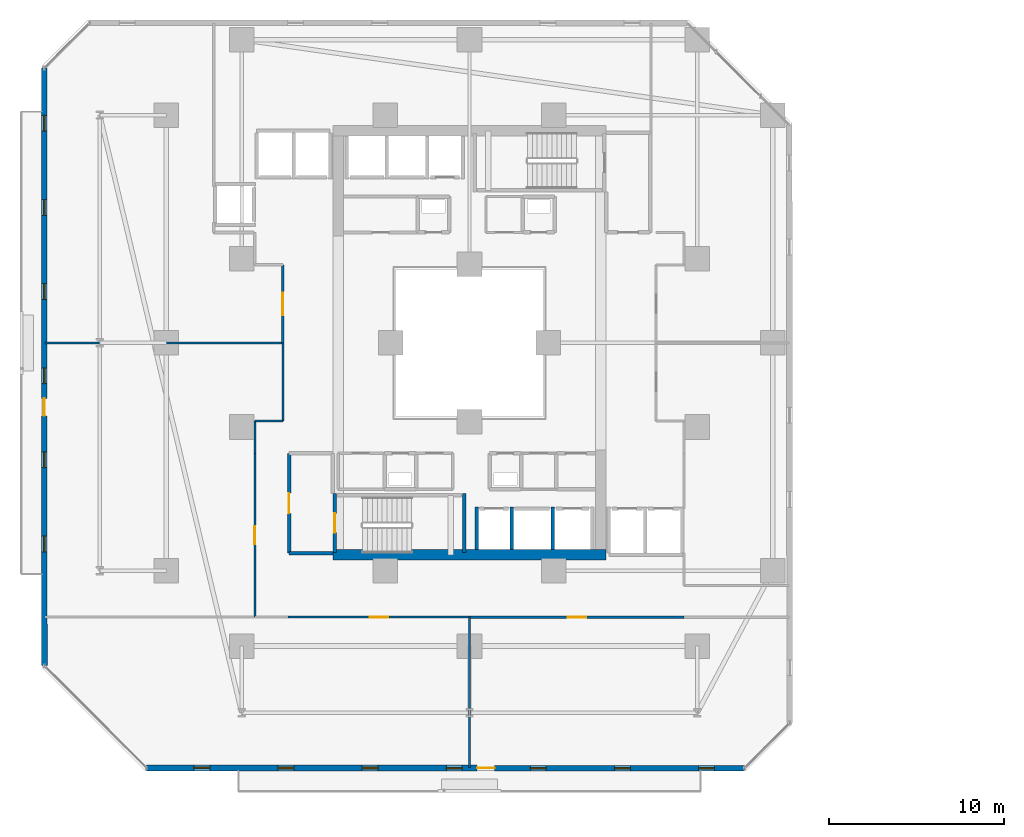
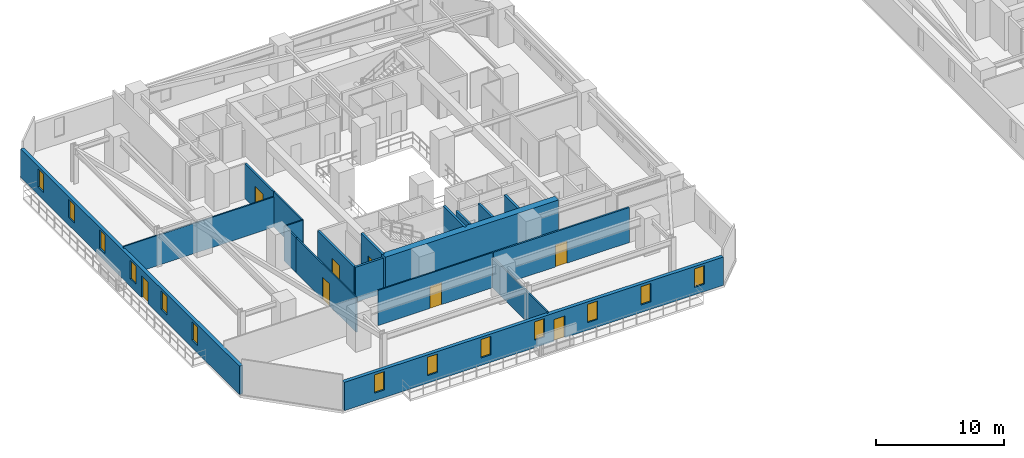
# One storey, part 18 of 33: 19 walls, 13 windows, 8 doors, 21 openings.
"""IFC4 building model written with IfcOpenShell, lengths in metres."""

from ifc_helpers import new_model, si_unit, direction, frame, frame_2d, origin, place, context, subcontext, project, spatial, rectangle, extrude, material, layer, layer_set, type_object, element, fill, save


model = new_model("IFC4")

# Units and contexts
model_context = context("Model", 3, precision=1e-05, world=origin(), true_north=direction((0.0, 1.0)))
body_context = subcontext(model_context, "Body", "Model", "MODEL_VIEW")
ifc_project = project(units=[si_unit("LENGTHUNIT", "METRE"), si_unit("AREAUNIT", "SQUARE_METRE"), si_unit("VOLUMEUNIT", "CUBIC_METRE"), si_unit("PLANEANGLEUNIT", "RADIAN"), si_unit("MASSUNIT", "GRAM", prefix="KILO")], contexts=[model_context])

# Site, building, storey
site_placement = place(None, origin())
site = spatial("IfcSite", under=ifc_project, at=site_placement, CompositionType="ELEMENT")
building_placement = place(site_placement, origin())
building = spatial("IfcBuilding", under=site, at=building_placement, Name="Thornwick Lancets Civic Towers", CompositionType="ELEMENT")
storey_placement = place(building_placement, frame((0.0, 0.0, 31.5)))
storey = spatial("IfcBuildingStorey", under=building, at=storey_placement, Name="L07", CompositionType="ELEMENT", Elevation=31.5)

# Walls
ifc_material_1 = material(Name="Concrete blockwork C40/50", Category="masonry")
ifc_layer_1 = layer(ifc_material_1, 0.199951171875, Name="Concrete blockwork C40/50")
ifc_layer_set_1 = layer_set([ifc_layer_1], Name="Concrete blockwork C40/50")
wall_type_1 = type_object("IfcWallType", Name="WALL_COMP_200", PredefinedType="STANDARD", material=ifc_layer_set_1)
for number, where, z_axis, x_axis, name in (
    (1, (27.89990234375, 15.2119140625, 0.0), (0.0, 0.0, 1.0), (0.0, 1.0, 0.0), "L07 Hoistway Shaft Wall FL-A1 E"),
    (2, (25.89990234375, 15.2119140625, 0.0), (0.0, 0.0, 1.0), (0.0, 1.0, 0.0), "L07 Hoistway Shaft Wall FL-A1 W"),
    (3, (30.25, 15.2119140625, 0.0), (0.0, 0.0, 1.0), (0.0, 1.0, 0.0), "L07 Hoistway Shaft Wall PL-AH1 E"),
):
    element("IfcWall", number, at=place(storey_placement, frame(where, z_axis=z_axis, x_axis=x_axis)), inside=storey, type_object=wall_type_1, Name=name, PredefinedType="STANDARD", context=body_context, shape_type="SweptSolid", body=[
        extrude(rectangle(XDim=2.43603515625, YDim=0.199951171875, at=frame_2d((1.218017578125, 0.0))), origin(), (0.0, 0.0, 1.0), 3.340087890625),
    ])
wall_1_placement = place(storey_placement, frame((15.199951171875, 15.0, 0.0), z_axis=(0.0, 0.0, 1.0), x_axis=(1.0, 0.0, 0.0)))
element("IfcWall", 4, at=wall_1_placement, inside=storey, type_object=wall_type_1, Name="L07 Partition L07-A-FFLOB1 E1", PredefinedType="STANDARD", context=body_context, shape_type="SweptSolid", body=[
    extrude(rectangle(XDim=2.5, YDim=0.199951171875, at=frame_2d((1.25, 0.0))), origin(), (0.0, 0.0, 1.0), 3.340087890625),
])

# Wall, opening, door
wall_2_placement = place(storey_placement, frame((15.199951171875, 20.699951171875, 0.0), z_axis=(0.0, 0.0, 1.0), x_axis=(0.0, -1.0, 0.0)))
wall_2 = element("IfcWall", 5, at=wall_2_placement, inside=storey, type_object=wall_type_1, Name="L07 Partition L07-A-FFLOB1 E4", PredefinedType="STANDARD", context=body_context, shape_type="SweptSolid", body=[
    extrude(rectangle(XDim=5.699951171875, YDim=0.199951171875, at=frame_2d((2.85009765625, 0.0))), origin(), (0.0, 0.0, 1.0), 3.340087890625),
])
opening_1_placement = place(wall_2_placement, frame((2.27490234375, 0.0, 0.0)))
opening_1 = element("IfcOpeningElement", 6, at=opening_1_placement, cuts=wall_2, Name="Opening D-L07-0361", PredefinedType="OPENING", context=body_context, shape_type="SweptSolid", body=[
    extrude(rectangle(XDim=1.14990234375, YDim=2.10009765625, at=frame_2d((0.574951171875, 1.050048828125))), frame((0.0, 0.10986328125, 0.0), z_axis=(0.0, -1.0, 0.0), x_axis=(1.0, 0.0, 0.0)), (0.0, 0.0, 1.0), 0.219970703125),
])
ifc_material_2 = material(Name="Glazed fire-resisting steel", Category="steel")
door_type_1 = type_object("IfcDoorType", Name="DOOR_LOBBY_FD60", OperationType="NOTDEFINED", PredefinedType="DOOR", material=ifc_material_2)
door_1_placement = place(opening_1_placement, origin())
door_1 = element("IfcDoor", 7, at=door_1_placement, inside=storey, type_object=door_type_1, Name="L07 South Firefighting Lobby 1 Door", OperationType="SINGLE_SWING_RIGHT", OverallHeight=2.10009765625, OverallWidth=1.14990234375, PredefinedType="DOOR", context=body_context, shape_type="SweptSolid", body=[
    extrude(rectangle(XDim=1.14990234375, YDim=2.10009765625, at=frame_2d((0.574951171875, 1.050048828125))), frame((0.0, 0.02490234375, 0.0), z_axis=(0.0, -1.0, 0.0), x_axis=(1.0, 0.0, 0.0)), (0.0, 0.0, 1.0), 0.050048828125),
])
fill(opening_1, door_1)

# Wall
ifc_material_3 = material(Name="Concrete C60/75", Category="concrete")
ifc_layer_2 = layer(ifc_material_3, 0.60009765625, Name="Concrete C60/75")
ifc_layer_set_2 = layer_set([ifc_layer_2], Name="Concrete C60/75")
wall_type_2 = type_object("IfcWallType", Name="WALL_CORE_600", PredefinedType="SHEAR", material=ifc_layer_set_2)
wall_3_placement = place(storey_placement, frame((17.699951171875, 14.89990234375, 0.0), z_axis=(0.0, 0.0, 1.0), x_axis=(1.0, 0.0, 0.0)))
element("IfcWall", 8, at=wall_3_placement, inside=storey, type_object=wall_type_2, Name="L07 Split Core A1 Shear Wall S", PredefinedType="SHEAR", context=body_context, shape_type="SweptSolid", body=[
    extrude(rectangle(XDim=15.60009765625, YDim=0.60009765625, at=frame_2d((7.800048828125, 0.0))), origin(), (0.0, 0.0, 1.0), 3.60009765625),
])

# Wall, openings, door, windows
ifc_material_4 = material(Name="Insulated buff terracotta rainscreen on concrete C40/50", Category="masonry")
ifc_layer_3 = layer(ifc_material_4, 0.320068359375, Name="Insulated buff terracotta rainscreen on concrete C40/50")
ifc_layer_set_3 = layer_set([ifc_layer_3], Name="Insulated buff terracotta rainscreen on concrete C40/50")
wall_type_3 = type_object("IfcWallType", Name="WALL_EXT_TERRA_320", PredefinedType="STANDARD", material=ifc_layer_set_3)
wall_4_placement = place(storey_placement, frame((7.07861328125, 2.74560546875, 0.0), z_axis=(0.0, 0.0, 1.0), x_axis=(0.999999952618, -0.000307837676, 0.0)))
wall_4 = element("IfcWall", 9, at=wall_4_placement, inside=storey, type_object=wall_type_3, Name="L07 Tower A Terracotta Facade Wall E0", PredefinedType="STANDARD", context=body_context, shape_type="SweptSolid", body=[
    extrude(rectangle(XDim=34.1025390625, YDim=0.320068359375, at=frame_2d((17.05126953125, 0.0))), origin(), (0.0, 0.0, 1.0), 2.699951171875),
])
opening_2_placement = place(wall_4_placement, frame((18.851318359375, 0.0, 0.0)))
opening_2 = element("IfcOpeningElement", 10, at=opening_2_placement, cuts=wall_4, Name="Opening D-BL-L07-AS", PredefinedType="OPENING", context=body_context, shape_type="SweptSolid", body=[
    extrude(rectangle(XDim=1.0, YDim=2.080078125, at=frame_2d((0.5, 1.0400390625))), frame((0.0, 0.169921875, 0.0), z_axis=(0.0, -1.0, 0.0), x_axis=(1.0, 0.0, 0.0)), (0.0, 0.0, 1.0), 0.340087890625),
])
opening_3_placement = place(wall_4_placement, frame((2.699951171875, 0.0, 0.719970703125)))
opening_3 = element("IfcOpeningElement", 11, at=opening_3_placement, cuts=wall_4, Name="Opening WL-01", PredefinedType="OPENING", context=body_context, shape_type="SweptSolid", body=[
    extrude(rectangle(XDim=0.89990234375, YDim=1.75, at=frame_2d((0.449951171875, 0.875))), frame((0.0, 0.169921875, 0.0), z_axis=(0.0, -1.0, 0.0), x_axis=(1.0, 0.0, 0.0)), (0.0, 0.0, 1.0), 0.340087890625),
])
opening_4_placement = place(wall_4_placement, frame((7.5, 0.0, 0.719970703125)))
opening_4 = element("IfcOpeningElement", 12, at=opening_4_placement, cuts=wall_4, Name="Opening WL-01", PredefinedType="OPENING", context=body_context, shape_type="SweptSolid", body=[
    extrude(rectangle(XDim=0.89990234375, YDim=1.75, at=frame_2d((0.449951171875, 0.875))), frame((0.0, 0.169921875, 0.0), z_axis=(0.0, -1.0, 0.0), x_axis=(1.0, 0.0, 0.0)), (0.0, 0.0, 1.0), 0.340087890625),
])
opening_5_placement = place(wall_4_placement, frame((12.300048828125, 0.0, 0.719970703125)))
opening_5 = element("IfcOpeningElement", 13, at=opening_5_placement, cuts=wall_4, Name="Opening WL-01", PredefinedType="OPENING", context=body_context, shape_type="SweptSolid", body=[
    extrude(rectangle(XDim=0.89990234375, YDim=1.75, at=frame_2d((0.449951171875, 0.875))), frame((0.0, 0.169921875, 0.0), z_axis=(0.0, -1.0, 0.0), x_axis=(1.0, 0.0, 0.0)), (0.0, 0.0, 1.0), 0.340087890625),
])
opening_6_placement = place(wall_4_placement, frame((17.10009765625, 0.0, 0.719970703125)))
opening_6 = element("IfcOpeningElement", 14, at=opening_6_placement, cuts=wall_4, Name="Opening WL-01", PredefinedType="OPENING", context=body_context, shape_type="SweptSolid", body=[
    extrude(rectangle(XDim=0.89990234375, YDim=1.75, at=frame_2d((0.449951171875, 0.875))), frame((0.0, 0.169921875, 0.0), z_axis=(0.0, -1.0, 0.0), x_axis=(1.0, 0.0, 0.0)), (0.0, 0.0, 1.0), 0.340087890625),
])
opening_7_placement = place(wall_4_placement, frame((21.89990234375, 0.0, 0.719970703125)))
opening_7 = element("IfcOpeningElement", 15, at=opening_7_placement, cuts=wall_4, Name="Opening WL-01", PredefinedType="OPENING", context=body_context, shape_type="SweptSolid", body=[
    extrude(rectangle(XDim=0.89990234375, YDim=1.75, at=frame_2d((0.449951171875, 0.875))), frame((0.0, 0.169921875, 0.0), z_axis=(0.0, -1.0, 0.0), x_axis=(1.0, 0.0, 0.0)), (0.0, 0.0, 1.0), 0.340087890625),
])
opening_8_placement = place(wall_4_placement, frame((26.699951171875, 0.0, 0.719970703125)))
opening_8 = element("IfcOpeningElement", 16, at=opening_8_placement, cuts=wall_4, Name="Opening WL-01", PredefinedType="OPENING", context=body_context, shape_type="SweptSolid", body=[
    extrude(rectangle(XDim=0.89990234375, YDim=1.75, at=frame_2d((0.449951171875, 0.875))), frame((0.0, 0.169921875, 0.0), z_axis=(0.0, -1.0, 0.0), x_axis=(1.0, 0.0, 0.0)), (0.0, 0.0, 1.0), 0.340087890625),
])
opening_9_placement = place(wall_4_placement, frame((31.5, 0.0, 0.719970703125)))
opening_9 = element("IfcOpeningElement", 17, at=opening_9_placement, cuts=wall_4, Name="Opening WL-01", PredefinedType="OPENING", context=body_context, shape_type="SweptSolid", body=[
    extrude(rectangle(XDim=0.89990234375, YDim=1.75, at=frame_2d((0.449951171875, 0.875))), frame((0.0, 0.169921875, 0.0), z_axis=(0.0, -1.0, 0.0), x_axis=(1.0, 0.0, 0.0)), (0.0, 0.0, 1.0), 0.340087890625),
])
ifc_material_5 = material(Name="Thermally broken glazed loggia doorset")
door_type_2 = type_object("IfcDoorType", Name="DOOR_BALC_1000", OperationType="NOTDEFINED", PredefinedType="DOOR", material=ifc_material_5)
door_2_placement = place(opening_2_placement, origin())
door_2 = element("IfcDoor", 18, at=door_2_placement, inside=storey, type_object=door_type_2, Name="L07 Tower A Loggia Balcony Door S", OperationType="SINGLE_SWING_RIGHT", OverallHeight=2.080078125, OverallWidth=1.0, PredefinedType="DOOR", context=body_context, shape_type="SweptSolid", body=[
    extrude(rectangle(XDim=1.0, YDim=2.080078125, at=frame_2d((0.5, 1.0400390625))), frame((0.0, 0.02490234375, 0.0), z_axis=(0.0, -1.0, 0.0), x_axis=(1.0, 0.0, 0.0)), (0.0, 0.0, 1.0), 0.050048828125),
])
fill(opening_2, door_2)
ifc_material_6 = material(Name="Clear low-e double glazing in bronze frame", Category="glass")
window_type = type_object("IfcWindowType", Name="WIN_LANCET_900", PartitioningType="SINGLE_PANEL", PredefinedType="WINDOW", material=ifc_material_6)
window_1_placement = place(opening_3_placement, origin())
window_1 = element("IfcWindow", 19, at=window_1_placement, inside=storey, type_object=window_type, Name="L07 Tower A Staggered Lancet Window E0-1", OverallHeight=1.75, OverallWidth=0.89990234375, PartitioningType="SINGLE_PANEL", PredefinedType="WINDOW", context=body_context, shape_type="SweptSolid", body=[
    extrude(rectangle(XDim=0.89990234375, YDim=1.75, at=frame_2d((0.449951171875, 0.875))), frame((0.0, 0.030029296875, 0.0), z_axis=(0.0, -1.0, 0.0), x_axis=(1.0, 0.0, 0.0)), (0.0, 0.0, 1.0), 0.06005859375),
])
fill(opening_3, window_1)
window_2_placement = place(opening_4_placement, origin())
window_2 = element("IfcWindow", 20, at=window_2_placement, inside=storey, type_object=window_type, Name="L07 Tower A Staggered Lancet Window E0-2", OverallHeight=1.75, OverallWidth=0.89990234375, PartitioningType="SINGLE_PANEL", PredefinedType="WINDOW", context=body_context, shape_type="SweptSolid", body=[
    extrude(rectangle(XDim=0.89990234375, YDim=1.75, at=frame_2d((0.449951171875, 0.875))), frame((0.0, 0.030029296875, 0.0), z_axis=(0.0, -1.0, 0.0), x_axis=(1.0, 0.0, 0.0)), (0.0, 0.0, 1.0), 0.06005859375),
])
fill(opening_4, window_2)
window_3_placement = place(opening_5_placement, origin())
window_3 = element("IfcWindow", 21, at=window_3_placement, inside=storey, type_object=window_type, Name="L07 Tower A Staggered Lancet Window E0-3", OverallHeight=1.75, OverallWidth=0.89990234375, PartitioningType="SINGLE_PANEL", PredefinedType="WINDOW", context=body_context, shape_type="SweptSolid", body=[
    extrude(rectangle(XDim=0.89990234375, YDim=1.75, at=frame_2d((0.449951171875, 0.875))), frame((0.0, 0.030029296875, 0.0), z_axis=(0.0, -1.0, 0.0), x_axis=(1.0, 0.0, 0.0)), (0.0, 0.0, 1.0), 0.06005859375),
])
fill(opening_5, window_3)
window_4_placement = place(opening_6_placement, origin())
window_4 = element("IfcWindow", 22, at=window_4_placement, inside=storey, type_object=window_type, Name="L07 Tower A Staggered Lancet Window E0-4", OverallHeight=1.75, OverallWidth=0.89990234375, PartitioningType="SINGLE_PANEL", PredefinedType="WINDOW", context=body_context, shape_type="SweptSolid", body=[
    extrude(rectangle(XDim=0.89990234375, YDim=1.75, at=frame_2d((0.449951171875, 0.875))), frame((0.0, 0.030029296875, 0.0), z_axis=(0.0, -1.0, 0.0), x_axis=(1.0, 0.0, 0.0)), (0.0, 0.0, 1.0), 0.06005859375),
])
fill(opening_6, window_4)
window_5_placement = place(opening_7_placement, origin())
window_5 = element("IfcWindow", 23, at=window_5_placement, inside=storey, type_object=window_type, Name="L07 Tower A Staggered Lancet Window E0-5", OverallHeight=1.75, OverallWidth=0.89990234375, PartitioningType="SINGLE_PANEL", PredefinedType="WINDOW", context=body_context, shape_type="SweptSolid", body=[
    extrude(rectangle(XDim=0.89990234375, YDim=1.75, at=frame_2d((0.449951171875, 0.875))), frame((0.0, 0.030029296875, 0.0), z_axis=(0.0, -1.0, 0.0), x_axis=(1.0, 0.0, 0.0)), (0.0, 0.0, 1.0), 0.06005859375),
])
fill(opening_7, window_5)
window_6_placement = place(opening_8_placement, origin())
window_6 = element("IfcWindow", 24, at=window_6_placement, inside=storey, type_object=window_type, Name="L07 Tower A Staggered Lancet Window E0-6", OverallHeight=1.75, OverallWidth=0.89990234375, PartitioningType="SINGLE_PANEL", PredefinedType="WINDOW", context=body_context, shape_type="SweptSolid", body=[
    extrude(rectangle(XDim=0.89990234375, YDim=1.75, at=frame_2d((0.449951171875, 0.875))), frame((0.0, 0.030029296875, 0.0), z_axis=(0.0, -1.0, 0.0), x_axis=(1.0, 0.0, 0.0)), (0.0, 0.0, 1.0), 0.06005859375),
])
fill(opening_8, window_6)
window_7_placement = place(opening_9_placement, origin())
window_7 = element("IfcWindow", 25, at=window_7_placement, inside=storey, type_object=window_type, Name="L07 Tower A Staggered Lancet Window E0-7", OverallHeight=1.75, OverallWidth=0.89990234375, PartitioningType="SINGLE_PANEL", PredefinedType="WINDOW", context=body_context, shape_type="SweptSolid", body=[
    extrude(rectangle(XDim=0.89990234375, YDim=1.75, at=frame_2d((0.449951171875, 0.875))), frame((0.0, 0.030029296875, 0.0), z_axis=(0.0, -1.0, 0.0), x_axis=(1.0, 0.0, 0.0)), (0.0, 0.0, 1.0), 0.06005859375),
])
fill(opening_9, window_7)

wall_5_placement = place(storey_placement, frame((1.235107421875, 42.68115234375, 0.0), z_axis=(0.0, 0.0, 1.0), x_axis=(0.000307837676, -0.999999952618, 0.0)))
wall_5 = element("IfcWall", 26, at=wall_5_placement, inside=storey, type_object=wall_type_3, Name="L07 Tower A Terracotta Facade Wall E6", PredefinedType="STANDARD", context=body_context, shape_type="SweptSolid", body=[
    extrude(rectangle(XDim=34.1025390625, YDim=0.320068359375, at=frame_2d((17.05126953125, 0.0))), origin(), (0.0, 0.0, 1.0), 2.699951171875),
])
opening_10_placement = place(wall_5_placement, frame((18.851318359375, 0.0, 0.0)))
opening_10 = element("IfcOpeningElement", 27, at=opening_10_placement, cuts=wall_5, Name="Opening D-BL-L07-AW", PredefinedType="OPENING", context=body_context, shape_type="SweptSolid", body=[
    extrude(rectangle(XDim=1.0, YDim=2.080078125, at=frame_2d((0.5, 1.0400390625))), frame((0.0, 0.169921875, 0.0), z_axis=(0.0, -1.0, 0.0), x_axis=(1.0, 0.0, 0.0)), (0.0, 0.0, 1.0), 0.340087890625),
])
opening_11_placement = place(wall_5_placement, frame((2.699951171875, 0.0, 0.719970703125)))
opening_11 = element("IfcOpeningElement", 28, at=opening_11_placement, cuts=wall_5, Name="Opening WL-01", PredefinedType="OPENING", context=body_context, shape_type="SweptSolid", body=[
    extrude(rectangle(XDim=0.89990234375, YDim=1.75, at=frame_2d((0.449951171875, 0.875))), frame((0.0, 0.169921875, 0.0), z_axis=(0.0, -1.0, 0.0), x_axis=(1.0, 0.0, 0.0)), (0.0, 0.0, 1.0), 0.340087890625),
])
opening_12_placement = place(wall_5_placement, frame((7.5, 0.0, 0.719970703125)))
opening_12 = element("IfcOpeningElement", 29, at=opening_12_placement, cuts=wall_5, Name="Opening WL-01", PredefinedType="OPENING", context=body_context, shape_type="SweptSolid", body=[
    extrude(rectangle(XDim=0.89990234375, YDim=1.75, at=frame_2d((0.449951171875, 0.875))), frame((0.0, 0.169921875, 0.0), z_axis=(0.0, -1.0, 0.0), x_axis=(1.0, 0.0, 0.0)), (0.0, 0.0, 1.0), 0.340087890625),
])
opening_13_placement = place(wall_5_placement, frame((12.300048828125, 0.0, 0.719970703125)))
opening_13 = element("IfcOpeningElement", 30, at=opening_13_placement, cuts=wall_5, Name="Opening WL-01", PredefinedType="OPENING", context=body_context, shape_type="SweptSolid", body=[
    extrude(rectangle(XDim=0.89990234375, YDim=1.75, at=frame_2d((0.449951171875, 0.875))), frame((0.0, 0.169921875, 0.0), z_axis=(0.0, -1.0, 0.0), x_axis=(1.0, 0.0, 0.0)), (0.0, 0.0, 1.0), 0.340087890625),
])
opening_14_placement = place(wall_5_placement, frame((17.10009765625, 0.0, 0.719970703125)))
opening_14 = element("IfcOpeningElement", 31, at=opening_14_placement, cuts=wall_5, Name="Opening WL-01", PredefinedType="OPENING", context=body_context, shape_type="SweptSolid", body=[
    extrude(rectangle(XDim=0.89990234375, YDim=1.75, at=frame_2d((0.449951171875, 0.875))), frame((0.0, 0.169921875, 0.0), z_axis=(0.0, -1.0, 0.0), x_axis=(1.0, 0.0, 0.0)), (0.0, 0.0, 1.0), 0.340087890625),
])
opening_15_placement = place(wall_5_placement, frame((21.89990234375, 0.0, 0.719970703125)))
opening_15 = element("IfcOpeningElement", 32, at=opening_15_placement, cuts=wall_5, Name="Opening WL-01", PredefinedType="OPENING", context=body_context, shape_type="SweptSolid", body=[
    extrude(rectangle(XDim=0.89990234375, YDim=1.75, at=frame_2d((0.449951171875, 0.875))), frame((0.0, 0.169921875, 0.0), z_axis=(0.0, -1.0, 0.0), x_axis=(1.0, 0.0, 0.0)), (0.0, 0.0, 1.0), 0.340087890625),
])
opening_16_placement = place(wall_5_placement, frame((26.699951171875, 0.0, 0.719970703125)))
opening_16 = element("IfcOpeningElement", 33, at=opening_16_placement, cuts=wall_5, Name="Opening WL-01", PredefinedType="OPENING", context=body_context, shape_type="SweptSolid", body=[
    extrude(rectangle(XDim=0.89990234375, YDim=1.75, at=frame_2d((0.449951171875, 0.875))), frame((0.0, 0.169921875, 0.0), z_axis=(0.0, -1.0, 0.0), x_axis=(1.0, 0.0, 0.0)), (0.0, 0.0, 1.0), 0.340087890625),
])
door_3_placement = place(opening_10_placement, origin())
door_3 = element("IfcDoor", 34, at=door_3_placement, inside=storey, type_object=door_type_2, Name="L07 Tower A Loggia Balcony Door W", OperationType="SINGLE_SWING_RIGHT", OverallHeight=2.080078125, OverallWidth=1.0, PredefinedType="DOOR", context=body_context, shape_type="SweptSolid", body=[
    extrude(rectangle(XDim=1.0, YDim=2.080078125, at=frame_2d((0.5, 1.0400390625))), frame((0.0, 0.02490234375, 0.0), z_axis=(0.0, -1.0, 0.0), x_axis=(1.0, 0.0, 0.0)), (0.0, 0.0, 1.0), 0.050048828125),
])
fill(opening_10, door_3)
window_8_placement = place(opening_11_placement, origin())
window_8 = element("IfcWindow", 35, at=window_8_placement, inside=storey, type_object=window_type, Name="L07 Tower A Staggered Lancet Window E6-1", OverallHeight=1.75, OverallWidth=0.89990234375, PartitioningType="SINGLE_PANEL", PredefinedType="WINDOW", context=body_context, shape_type="SweptSolid", body=[
    extrude(rectangle(XDim=0.89990234375, YDim=1.75, at=frame_2d((0.449951171875, 0.875))), frame((0.0, 0.030029296875, 0.0), z_axis=(0.0, -1.0, 0.0), x_axis=(1.0, 0.0, 0.0)), (0.0, 0.0, 1.0), 0.06005859375),
])
fill(opening_11, window_8)
window_9_placement = place(opening_12_placement, origin())
window_9 = element("IfcWindow", 36, at=window_9_placement, inside=storey, type_object=window_type, Name="L07 Tower A Staggered Lancet Window E6-2", OverallHeight=1.75, OverallWidth=0.89990234375, PartitioningType="SINGLE_PANEL", PredefinedType="WINDOW", context=body_context, shape_type="SweptSolid", body=[
    extrude(rectangle(XDim=0.89990234375, YDim=1.75, at=frame_2d((0.449951171875, 0.875))), frame((0.0, 0.030029296875, 0.0), z_axis=(0.0, -1.0, 0.0), x_axis=(1.0, 0.0, 0.0)), (0.0, 0.0, 1.0), 0.06005859375),
])
fill(opening_12, window_9)
window_10_placement = place(opening_13_placement, origin())
window_10 = element("IfcWindow", 37, at=window_10_placement, inside=storey, type_object=window_type, Name="L07 Tower A Staggered Lancet Window E6-3", OverallHeight=1.75, OverallWidth=0.89990234375, PartitioningType="SINGLE_PANEL", PredefinedType="WINDOW", context=body_context, shape_type="SweptSolid", body=[
    extrude(rectangle(XDim=0.89990234375, YDim=1.75, at=frame_2d((0.449951171875, 0.875))), frame((0.0, 0.030029296875, 0.0), z_axis=(0.0, -1.0, 0.0), x_axis=(1.0, 0.0, 0.0)), (0.0, 0.0, 1.0), 0.06005859375),
])
fill(opening_13, window_10)
window_11_placement = place(opening_14_placement, origin())
window_11 = element("IfcWindow", 38, at=window_11_placement, inside=storey, type_object=window_type, Name="L07 Tower A Staggered Lancet Window E6-4", OverallHeight=1.75, OverallWidth=0.89990234375, PartitioningType="SINGLE_PANEL", PredefinedType="WINDOW", context=body_context, shape_type="SweptSolid", body=[
    extrude(rectangle(XDim=0.89990234375, YDim=1.75, at=frame_2d((0.449951171875, 0.875))), frame((0.0, 0.030029296875, 0.0), z_axis=(0.0, -1.0, 0.0), x_axis=(1.0, 0.0, 0.0)), (0.0, 0.0, 1.0), 0.06005859375),
])
fill(opening_14, window_11)
window_12_placement = place(opening_15_placement, origin())
window_12 = element("IfcWindow", 39, at=window_12_placement, inside=storey, type_object=window_type, Name="L07 Tower A Staggered Lancet Window E6-5", OverallHeight=1.75, OverallWidth=0.89990234375, PartitioningType="SINGLE_PANEL", PredefinedType="WINDOW", context=body_context, shape_type="SweptSolid", body=[
    extrude(rectangle(XDim=0.89990234375, YDim=1.75, at=frame_2d((0.449951171875, 0.875))), frame((0.0, 0.030029296875, 0.0), z_axis=(0.0, -1.0, 0.0), x_axis=(1.0, 0.0, 0.0)), (0.0, 0.0, 1.0), 0.06005859375),
])
fill(opening_15, window_12)
window_13_placement = place(opening_16_placement, origin())
window_13 = element("IfcWindow", 40, at=window_13_placement, inside=storey, type_object=window_type, Name="L07 Tower A Staggered Lancet Window E6-6", OverallHeight=1.75, OverallWidth=0.89990234375, PartitioningType="SINGLE_PANEL", PredefinedType="WINDOW", context=body_context, shape_type="SweptSolid", body=[
    extrude(rectangle(XDim=0.89990234375, YDim=1.75, at=frame_2d((0.449951171875, 0.875))), frame((0.0, 0.030029296875, 0.0), z_axis=(0.0, -1.0, 0.0), x_axis=(1.0, 0.0, 0.0)), (0.0, 0.0, 1.0), 0.06005859375),
])
fill(opening_16, window_13)

# Walls
ifc_material_7 = material(Name="Acoustic gypsum board partition")
ifc_layer_4 = layer(ifc_material_7, 0.1201171875, Name="Acoustic gypsum board partition")
ifc_layer_set_4 = layer_set([ifc_layer_4], Name="Acoustic gypsum board partition")
wall_type_4 = type_object("IfcWallType", Name="WALL_PART_120", PredefinedType="PARTITIONING", material=ifc_layer_set_4)
wall_6_placement = place(storey_placement, frame((14.85009765625, 22.550048828125, 0.0), z_axis=(0.0, 0.0, 1.0), x_axis=(-1.0, 0.0, 0.0)))
element("IfcWall", 41, at=wall_6_placement, inside=storey, type_object=wall_type_4, Name="L07 Partition L07-A-W1 E1", PredefinedType="PARTITIONING", context=body_context, shape_type="SweptSolid", body=[
    extrude(rectangle(XDim=1.60009765625, YDim=0.1201171875, at=frame_2d((0.800048828125, 0.0))), origin(), (0.0, 0.0, 1.0), 3.340087890625),
])
wall_7_placement = place(storey_placement, frame((13.25, 22.550048828125, 0.0), z_axis=(0.0, 0.0, 1.0), x_axis=(0.0, -1.0, 0.0)))
element("IfcWall", 42, at=wall_7_placement, inside=storey, type_object=wall_type_4, Name="L07 Partition L07-A-W1 E2", PredefinedType="PARTITIONING", context=body_context, shape_type="SweptSolid", body=[
    extrude(rectangle(XDim=1.85009765625, YDim=0.1201171875, at=frame_2d((0.925048828125, 0.0))), origin(), (0.0, 0.0, 1.0), 3.340087890625),
])

# Wall, opening, door
wall_8_placement = place(storey_placement, frame((13.25, 20.699951171875, 0.0), z_axis=(0.0, 0.0, 1.0), x_axis=(0.0, -1.0, 0.0)))
wall_8 = element("IfcWall", 43, at=wall_8_placement, inside=storey, type_object=wall_type_4, Name="L07 Partition L07-A-W1 E3", PredefinedType="PARTITIONING", context=body_context, shape_type="SweptSolid", body=[
    extrude(rectangle(XDim=9.349853515625, YDim=0.1201171875, at=frame_2d((4.6748046875, 0.0))), origin(), (0.0, 0.0, 1.0), 3.340087890625),
])
opening_17_placement = place(wall_8_placement, frame((4.14990234375, 0.0, 0.0)))
opening_17 = element("IfcOpeningElement", 44, at=opening_17_placement, cuts=wall_8, Name="Opening D-L07-0385", PredefinedType="OPENING", context=body_context, shape_type="SweptSolid", body=[
    extrude(rectangle(XDim=1.050048828125, YDim=2.10009765625, at=frame_2d((0.52490234375, 1.050048828125))), frame((0.0, 0.070068359375, 0.0), z_axis=(0.0, -1.0, 0.0), x_axis=(1.0, 0.0, 0.0)), (0.0, 0.0, 1.0), 0.14013671875),
])
ifc_material_8 = material(Name="Glazed European oak executive doorset")
door_type_3 = type_object("IfcDoorType", Name="DOOR_OFFICE_1050", OperationType="NOTDEFINED", PredefinedType="DOOR", material=ifc_material_8)
door_4_placement = place(opening_17_placement, origin())
door_4 = element("IfcDoor", 45, at=door_4_placement, inside=storey, type_object=door_type_3, Name="L07 Tower A Ministry Directorate Office W1 Door", OperationType="SINGLE_SWING_RIGHT", OverallHeight=2.10009765625, OverallWidth=1.050048828125, PredefinedType="DOOR", context=body_context, shape_type="SweptSolid", body=[
    extrude(rectangle(XDim=1.050048828125, YDim=2.10009765625, at=frame_2d((0.52490234375, 1.050048828125))), frame((0.0, 0.02490234375, 0.0), z_axis=(0.0, -1.0, 0.0), x_axis=(1.0, 0.0, 0.0)), (0.0, 0.0, 1.0), 0.050048828125),
])
fill(opening_17, door_4)

# Walls
wall_9_placement = place(storey_placement, frame((1.280029296875, 27.0, 0.0), z_axis=(0.0, 0.0, 1.0), x_axis=(1.0, 0.0, 0.0)))
element("IfcWall", 46, at=wall_9_placement, inside=storey, type_object=wall_type_4, Name="L07 Partition L07-A-W1 E6", PredefinedType="PARTITIONING", context=body_context, shape_type="SweptSolid", body=[
    extrude(rectangle(XDim=13.570068359375, YDim=0.1201171875, at=frame_2d((6.78515625, 0.0))), origin(), (0.0, 0.0, 1.0), 2.877685546875),
])
wall_10_placement = place(storey_placement, frame((14.85009765625, 27.0, 0.0), z_axis=(0.0, 0.0, 1.0), x_axis=(0.0, -1.0, 0.0)))
element("IfcWall", 47, at=wall_10_placement, inside=storey, type_object=wall_type_4, Name="L07 Partition L07-A-W1 E7", PredefinedType="PARTITIONING", context=body_context, shape_type="SweptSolid", body=[
    extrude(rectangle(XDim=4.449951171875, YDim=0.1201171875, at=frame_2d((2.22509765625, 0.0))), origin(), (0.0, 0.0, 1.0), 3.340087890625),
])

# Wall, opening, door
wall_11_placement = place(storey_placement, frame((15.14990234375, 11.35009765625, 0.0), z_axis=(0.0, 0.0, 1.0), x_axis=(1.0, 0.0, 0.0)))
wall_11 = element("IfcWall", 48, at=wall_11_placement, inside=storey, type_object=wall_type_4, Name="L07 Partition L07-A-S-OFF E6", PredefinedType="PARTITIONING", context=body_context, shape_type="SweptSolid", body=[
    extrude(rectangle(XDim=10.35009765625, YDim=0.1201171875, at=frame_2d((5.175048828125, 0.0))), origin(), (0.0, 0.0, 1.0), 3.340087890625),
])
opening_18_placement = place(wall_11_placement, frame((4.64990234375, 0.0, 0.0)))
opening_18 = element("IfcOpeningElement", 49, at=opening_18_placement, cuts=wall_11, Name="Opening D-L07-0389", PredefinedType="OPENING", context=body_context, shape_type="SweptSolid", body=[
    extrude(rectangle(XDim=1.050048828125, YDim=2.10009765625, at=frame_2d((0.52490234375, 1.050048828125))), frame((0.0, 0.070068359375, 0.0), z_axis=(0.0, -1.0, 0.0), x_axis=(1.0, 0.0, 0.0)), (0.0, 0.0, 1.0), 0.14013671875),
])
door_5_placement = place(opening_18_placement, origin())
door_5 = element("IfcDoor", 50, at=door_5_placement, inside=storey, type_object=door_type_3, Name="L07 Tower A South Division Office Door", OperationType="SINGLE_SWING_RIGHT", OverallHeight=2.10009765625, OverallWidth=1.050048828125, PredefinedType="DOOR", context=body_context, shape_type="SweptSolid", body=[
    extrude(rectangle(XDim=1.050048828125, YDim=2.10009765625, at=frame_2d((0.52490234375, 1.050048828125))), frame((0.0, 0.02490234375, 0.0), z_axis=(0.0, -1.0, 0.0), x_axis=(1.0, 0.0, 0.0)), (0.0, 0.0, 1.0), 0.050048828125),
])
fill(opening_18, door_5)

# Wall
wall_12_placement = place(storey_placement, frame((25.5, 11.35009765625, 0.0), z_axis=(0.0, 0.0, 1.0), x_axis=(0.0, -1.0, 0.0)))
element("IfcWall", 51, at=wall_12_placement, inside=storey, type_object=wall_type_4, Name="L07 Partition L07-A-S-OFF E7", PredefinedType="PARTITIONING", context=body_context, shape_type="SweptSolid", body=[
    extrude(rectangle(XDim=8.570068359375, YDim=0.1201171875, at=frame_2d((4.28515625, 0.0))), origin(), (0.0, 0.0, 1.0), 2.877685546875),
])

# Wall, opening, door
ifc_material_9 = material(Name="Twin-stud acoustic gypsum board")
ifc_layer_5 = layer(ifc_material_9, 0.14990234375, Name="Twin-stud acoustic gypsum board")
ifc_layer_set_5 = layer_set([ifc_layer_5], Name="Twin-stud acoustic gypsum board")
wall_type_5 = type_object("IfcWallType", Name="WALL_PART_150", PredefinedType="PARTITIONING", material=ifc_layer_set_5)
wall_13_placement = place(storey_placement, frame((14.85009765625, 31.449951171875, 0.0), z_axis=(0.0, 0.0, 1.0), x_axis=(0.0, -1.0, 0.0)))
wall_13 = element("IfcWall", 52, at=wall_13_placement, inside=storey, type_object=wall_type_5, Name="L07 Partition L07-A-W2 E4", PredefinedType="PARTITIONING", context=body_context, shape_type="SweptSolid", body=[
    extrude(rectangle(XDim=4.449951171875, YDim=0.14990234375, at=frame_2d((2.22509765625, 0.0))), origin(), (0.0, 0.0, 1.0), 3.340087890625),
])
opening_19_placement = place(wall_13_placement, frame((1.574951171875, 0.0, 0.0)))
opening_19 = element("IfcOpeningElement", 53, at=opening_19_placement, cuts=wall_13, Name="Opening D-L07-0386", PredefinedType="OPENING", context=body_context, shape_type="SweptSolid", body=[
    extrude(rectangle(XDim=1.300048828125, YDim=2.1201171875, at=frame_2d((0.64990234375, 1.06005859375))), frame((0.0, 0.0849609375, 0.0), z_axis=(0.0, -1.0, 0.0), x_axis=(1.0, 0.0, 0.0)), (0.0, 0.0, 1.0), 0.169921875),
])
ifc_material_10 = material(Name="Acoustic oak leaf-and-a-half doorset")
door_type_4 = type_object("IfcDoorType", Name="DOOR_MEET_1300", OperationType="DOUBLE_DOOR_SINGLE_SWING", PredefinedType="DOOR", material=ifc_material_10)
door_6_placement = place(opening_19_placement, origin())
door_6 = element("IfcDoor", 54, at=door_6_placement, inside=storey, type_object=door_type_4, Name="L07 Tower A Policy Briefing Room W2 Door", OperationType="DOUBLE_DOOR_SINGLE_SWING", OverallHeight=2.1201171875, OverallWidth=1.300048828125, PredefinedType="DOOR", context=body_context, shape_type="SweptSolid", body=[
    extrude(rectangle(XDim=1.300048828125, YDim=2.1201171875, at=frame_2d((0.64990234375, 1.06005859375))), frame((0.0, 0.02490234375, 0.0), z_axis=(0.0, -1.0, 0.0), x_axis=(1.0, 0.0, 0.0)), (0.0, 0.0, 1.0), 0.050048828125),
])
fill(opening_19, door_6)

wall_14_placement = place(storey_placement, frame((25.5, 11.35009765625, 0.0), z_axis=(0.0, 0.0, 1.0), x_axis=(1.0, 0.0, 0.0)))
wall_14 = element("IfcWall", 55, at=wall_14_placement, inside=storey, type_object=wall_type_5, Name="L07 Partition L07-A-S-ARCH E3", PredefinedType="PARTITIONING", context=body_context, shape_type="SweptSolid", body=[
    extrude(rectangle(XDim=12.25, YDim=0.14990234375, at=frame_2d((6.125, 0.0))), origin(), (0.0, 0.0, 1.0), 3.340087890625),
])
opening_20_placement = place(wall_14_placement, frame((5.60009765625, 0.0, 0.0)))
opening_20 = element("IfcOpeningElement", 56, at=opening_20_placement, cuts=wall_14, Name="Opening D-L07-0390", PredefinedType="OPENING", context=body_context, shape_type="SweptSolid", body=[
    extrude(rectangle(XDim=1.050048828125, YDim=2.10009765625, at=frame_2d((0.52490234375, 1.050048828125))), frame((0.0, 0.0849609375, 0.0), z_axis=(0.0, -1.0, 0.0), x_axis=(1.0, 0.0, 0.0)), (0.0, 0.0, 1.0), 0.169921875),
])
door_7_placement = place(opening_20_placement, origin())
door_7 = element("IfcDoor", 57, at=door_7_placement, inside=storey, type_object=door_type_3, Name="L07 Tower A Registry and Records Archive Door", OperationType="SINGLE_SWING_LEFT", OverallHeight=2.10009765625, OverallWidth=1.050048828125, PredefinedType="DOOR", context=body_context, shape_type="SweptSolid", body=[
    extrude(rectangle(XDim=1.050048828125, YDim=2.10009765625, at=frame_2d((0.52490234375, 1.050048828125))), frame((0.0, 0.02490234375, 0.0), z_axis=(0.0, -1.0, 0.0), x_axis=(1.0, 0.0, 0.0)), (0.0, 0.0, 1.0), 0.050048828125),
])
fill(opening_20, door_7)

ifc_material_11 = material(Name="Concrete C40/50", Category="concrete")
ifc_layer_6 = layer(ifc_material_11, 0.199951171875, Name="Concrete C40/50")
ifc_layer_set_6 = layer_set([ifc_layer_6], Name="Concrete C40/50")
wall_type_6 = type_object("IfcWallType", Name="WALL_SHAFT_200", PredefinedType="SHEAR", material=ifc_layer_set_6)
wall_15_placement = place(storey_placement, frame((17.800048828125, 15.050048828125, 0.0), z_axis=(0.0, 0.0, 1.0), x_axis=(0.0, 1.0, 0.0)))
wall_15 = element("IfcWall", 58, at=wall_15_placement, inside=storey, type_object=wall_type_6, Name="L07 ST-A1 Fire Stair Core Wall NEAR", PredefinedType="SHEAR", context=body_context, shape_type="SweptSolid", body=[
    extrude(rectangle(XDim=3.349853515625, YDim=0.199951171875, at=frame_2d((1.6748046875, 0.0))), origin(), (0.0, 0.0, 1.0), 3.60009765625),
])
opening_21_placement = place(wall_15_placement, frame((1.125, 0.0, 0.0)))
opening_21 = element("IfcOpeningElement", 59, at=opening_21_placement, cuts=wall_15, Name="Opening D-ST-A1-L07", PredefinedType="OPENING", context=body_context, shape_type="SweptSolid", body=[
    extrude(rectangle(XDim=1.10009765625, YDim=2.10009765625, at=frame_2d((0.550048828125, 1.050048828125))), frame((0.0, 0.10986328125, 0.0), z_axis=(0.0, -1.0, 0.0), x_axis=(1.0, 0.0, 0.0)), (0.0, 0.0, 1.0), 0.219970703125),
])
ifc_material_12 = material(Name="Fire-resisting steel and hardwood", Category="steel")
door_type_5 = type_object("IfcDoorType", Name="DOOR_STAIR_FD60", OperationType="NOTDEFINED", PredefinedType="DOOR", material=ifc_material_12)
door_8_placement = place(opening_21_placement, origin())
door_8 = element("IfcDoor", 60, at=door_8_placement, inside=storey, type_object=door_type_5, Name="L07 ST-A1 Exit Stair Door", OperationType="SINGLE_SWING_RIGHT", OverallHeight=2.10009765625, OverallWidth=1.10009765625, PredefinedType="DOOR", context=body_context, shape_type="SweptSolid", body=[
    extrude(rectangle(XDim=1.10009765625, YDim=2.10009765625, at=frame_2d((0.550048828125, 1.050048828125))), frame((0.0, 0.02490234375, 0.0), z_axis=(0.0, -1.0, 0.0), x_axis=(1.0, 0.0, 0.0)), (0.0, 0.0, 1.0), 0.050048828125),
])
fill(opening_21, door_8)

# Wall
wall_16_placement = place(storey_placement, frame((25.199951171875, 18.39990234375, 0.0), z_axis=(0.0, 0.0, 1.0), x_axis=(0.0, -1.0, 0.0)))
element("IfcWall", 61, at=wall_16_placement, inside=storey, type_object=wall_type_6, Name="L07 ST-A1 Fire Stair Core Wall FAR", PredefinedType="SHEAR", context=body_context, shape_type="SweptSolid", body=[
    extrude(rectangle(XDim=3.349853515625, YDim=0.199951171875, at=frame_2d((1.6748046875, 0.0))), origin(), (0.0, 0.0, 1.0), 3.60009765625),
])

save(model, "model.ifc")
